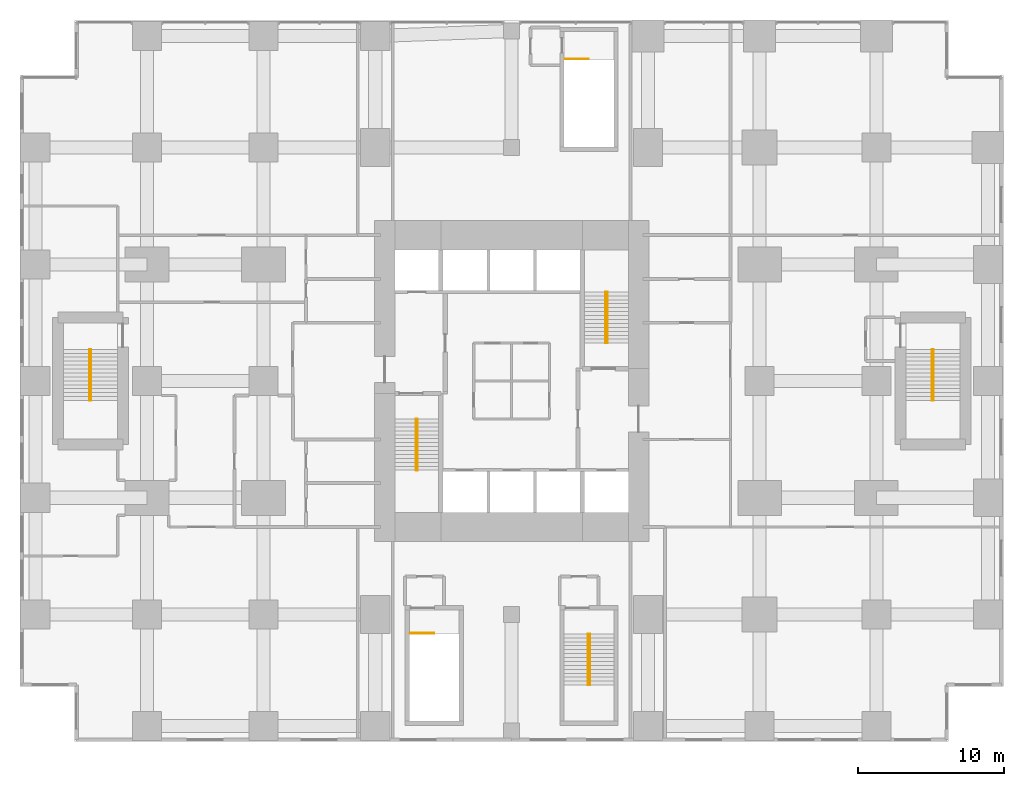
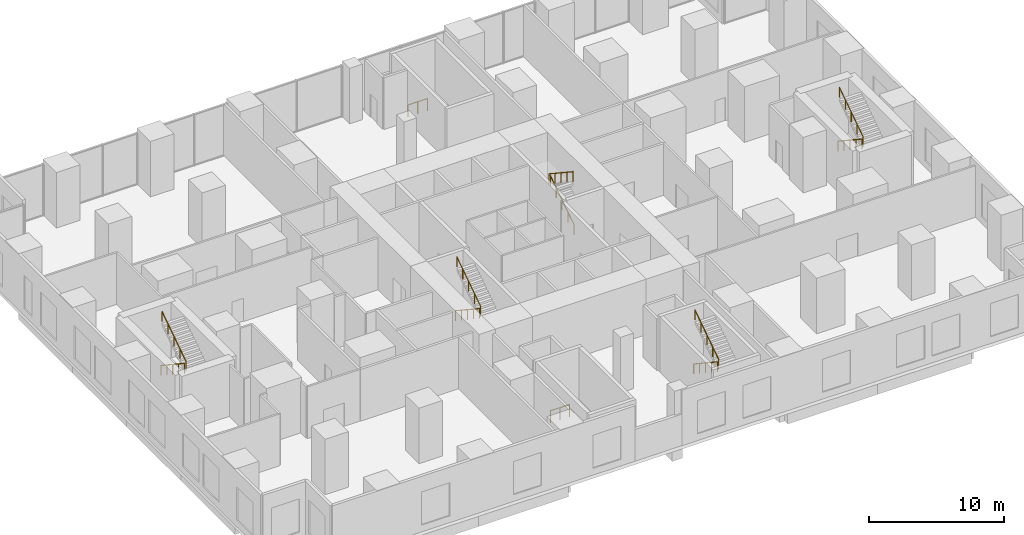
# One storey, part 11 of 11: 12 railings.
"""IFC4 building model written with IfcOpenShell, lengths in metres."""

import ifcopenshell
import ifcopenshell.guid

model = None  # the IFC model being written
_history = None  # IfcOwnerHistory: only IFC2X3 demands one
_inside = {}  # id of a spatial element -> (the spatial element, [elements in it])
_under = {}  # id of a project, library or spatial element -> (it, [spatial elements below it])
_declared = {}  # id of a project -> (the project, [libraries it declares])
_typed = {}  # id of a type object -> (the type object, [elements of that type])
_made_of = {}  # id of a material, layer set ... -> (it, [elements and type objects made of it])


def new_model(schema):
    """Start an empty IFC model of exactly this schema.

    Asked for "IFC4X3", IfcOpenShell would pick the latest addendum, in which some entities
    have other attributes; the version numbers below select the first issue.
    IFC2X3 requires an IfcOwnerHistory on every rooted entity: one is made here for all.
    """
    global model, _history
    if schema == "IFC4X3":
        model = ifcopenshell.file(schema_version=(4, 3, 0, 0))
    else:
        model = ifcopenshell.file(schema=schema)
    _inside.clear()
    _under.clear()
    _declared.clear()
    _typed.clear()
    _made_of.clear()
    _history = None
    if model.schema == "IFC2X3":
        org = make("IfcOrganization", Name="unknown")
        user = make(
            "IfcPersonAndOrganization",
            ThePerson=make("IfcPerson", FamilyName="unknown"),
            TheOrganization=org,
        )
        app = make(
            "IfcApplication",
            ApplicationDeveloper=org,
            Version="unknown",
            ApplicationFullName="unknown",
            ApplicationIdentifier="unknown",
        )
        _history = make(
            "IfcOwnerHistory",
            OwningUser=user,
            OwningApplication=app,
            ChangeAction="ADDED",
            CreationDate=0,
        )
    return model


def make(cls, **values):
    """One entity of the class cls with the attributes given. An attribute that is None is left unset."""
    return model.create_entity(
        cls, **{name: value for name, value in values.items() if value is not None}
    )


def rooted(cls, **values):
    """An entity with a GlobalId (a new one), such as an element, a storey or a relation."""
    return make(cls, GlobalId=ifcopenshell.guid.new(), OwnerHistory=_history, **values)


def si_unit(unit_type, name, prefix=None):
    """IfcSIUnit, for example si_unit("LENGTHUNIT", "METRE", prefix="MILLI")."""
    return make("IfcSIUnit", UnitType=unit_type, Prefix=prefix, Name=name)


def assignment(units):
    """IfcUnitAssignment: the units of a project."""
    return None if units is None else make("IfcUnitAssignment", Units=units)


def point(xyz):
    """IfcCartesianPoint."""
    return None if xyz is None else make("IfcCartesianPoint", Coordinates=xyz)


def direction(xyz):
    """IfcDirection."""
    return None if xyz is None else make("IfcDirection", DirectionRatios=xyz)


def frame(location, z_axis=None, x_axis=None):
    """IfcAxis2Placement3D, a coordinate frame: its origin and axes. An axis left out is left unset."""
    return make(
        "IfcAxis2Placement3D",
        Location=point(location),
        Axis=direction(z_axis),
        RefDirection=direction(x_axis),
    )


def frame_2d(location, x_axis=None):
    """IfcAxis2Placement2D, a coordinate frame in the plane: its origin and x axis."""
    return make(
        "IfcAxis2Placement2D", Location=point(location), RefDirection=direction(x_axis)
    )


def origin():
    """The frame at (0, 0, 0) with its axes left unset."""
    return frame((0.0, 0.0, 0.0))


def origin_2d():
    """The frame at (0, 0) in the plane with its x axis left unset."""
    return frame_2d((0.0, 0.0))


def place(relative_to, where):
    """IfcLocalPlacement: puts the frame where relative to a parent placement (None: the world)."""
    return make(
        "IfcLocalPlacement", PlacementRelTo=relative_to, RelativePlacement=where
    )


def context(
    kind, dimensions, precision=None, world=None, true_north=None, identifier=None
):
    """IfcGeometricRepresentationContext, for example the 3D "Model" context."""
    return make(
        "IfcGeometricRepresentationContext",
        ContextIdentifier=identifier,
        ContextType=kind,
        CoordinateSpaceDimension=dimensions,
        Precision=precision,
        WorldCoordinateSystem=world,
        TrueNorth=true_north,
    )


def subcontext(parent, identifier, kind, view, scale=None):
    """IfcGeometricRepresentationSubContext, for example "Body" below "Model"."""
    return make(
        "IfcGeometricRepresentationSubContext",
        ContextIdentifier=identifier,
        ContextType=kind,
        ParentContext=parent,
        TargetScale=scale,
        TargetView=view,
    )


def project(units=None, contexts=None):
    """IfcProject with its units and contexts."""
    return rooted(
        "IfcProject",
        Name="project",
        RepresentationContexts=contexts,
        UnitsInContext=assignment(units),
    )


def spatial(cls, under=None, at=None, **own):
    """A site, building, storey or space (cls), placed at a placement, below another one or the project."""
    s = rooted(cls, ObjectPlacement=at, **own)
    if under is not None:
        _under.setdefault(under.id(), (under, []))[1].append(s)
    return s


def profile(cls, at=None, kind="AREA", **sizes):
    """A parametric profile (cls). Its sizes go by their IFC names, for example OverallWidth=200.0."""
    return make(cls, ProfileType=kind, Position=at, **sizes)


def circle(**sizes):
    """IfcCircleProfileDef."""
    return profile("IfcCircleProfileDef", **sizes)


def extrude(swept, where, along, depth):
    """IfcExtrudedAreaSolid: the profile swept, set in the frame where, extruded along a direction by depth."""
    return make(
        "IfcExtrudedAreaSolid",
        SweptArea=swept,
        Position=where,
        ExtrudedDirection=direction(along),
        Depth=depth,
    )


def shape(context_of_items, identifier, shape_type, items):
    """IfcShapeRepresentation: the items that make up one representation, for example the "Body"."""
    return make(
        "IfcShapeRepresentation",
        ContextOfItems=context_of_items,
        RepresentationIdentifier=identifier,
        RepresentationType=shape_type,
        Items=items,
    )


def material(Name=None, Category=None):
    """IfcMaterial."""
    return make("IfcMaterial", Name=Name, Category=Category)


def made_of(thing, what):
    """Note that an element or type object is made of a material, layer set ...; save() writes the relation."""
    if what is not None:
        _made_of.setdefault(what.id(), (what, []))[1].append(thing)
    return thing


def type_object(cls, material=None, **own):
    """A type object (cls), such as IfcWallType, which elements share."""
    return made_of(rooted(cls, **own), material)


def element(
    cls,
    number,
    at=None,
    inside=None,
    cuts=None,
    type_object=None,
    material=None,
    context=None,
    identifier="Body",
    shape_type=None,
    held_by="IfcProductDefinitionShape",
    body=None,
    shapes=None,
    **own,
):
    """One element of the class cls, such as IfcWall. Its Tag is "e" and its number.

    at: its placement. inside: the storey or other place that contains it. cuts: it is an
    opening in that element (IfcRelVoidsElement). A single representation is given by context,
    identifier, shape_type and body (its items); several are given by shapes. held_by: the class
    of the entity that holds the representations. save() writes the other relations.
    """
    e = rooted(cls, Tag="e%d" % number, ObjectPlacement=at, **own)
    if body is not None:
        shapes = [shape(context, identifier, shape_type, body)]
    if shapes is not None:
        e.Representation = make(held_by, Representations=shapes)
    if inside is not None:
        _inside.setdefault(inside.id(), (inside, []))[1].append(e)
    if cuts is not None:
        rooted(
            "IfcRelVoidsElement", RelatingBuildingElement=cuts, RelatedOpeningElement=e
        )
    if type_object is not None:
        _typed.setdefault(type_object.id(), (type_object, []))[1].append(e)
    return made_of(e, material)


def aggregate(whole, parts):
    """IfcRelAggregates: a whole, such as a stair, and the parts it consists of."""
    return rooted("IfcRelAggregates", RelatingObject=whole, RelatedObjects=parts)


def save(model, path):
    """Write the relations noted so far, then the file.

    IfcRelAggregates (storeys below a building ...), IfcRelContainedInSpatialStructure (elements
    in a storey), IfcRelDefinesByType, IfcRelAssociatesMaterial and IfcRelDeclares: one each for
    every whole, place, type object, material and project.
    """
    for whole, parts in _under.values():
        aggregate(whole, parts)
    for where, things in _inside.values():
        rooted(
            "IfcRelContainedInSpatialStructure",
            RelatedElements=things,
            RelatingStructure=where,
        )
    for kind, things in _typed.values():
        rooted("IfcRelDefinesByType", RelatedObjects=things, RelatingType=kind)
    for what, things in _made_of.values():
        rooted("IfcRelAssociatesMaterial", RelatedObjects=things, RelatingMaterial=what)
    for by, libraries in _declared.values():
        rooted("IfcRelDeclares", RelatingContext=by, RelatedDefinitions=libraries)
    model.write(path)


model = new_model("IFC4")

# Units and contexts
model_context = context("Model", 3, precision=1e-05, world=origin(), true_north=direction((0.0, 1.0)))
body_context = subcontext(model_context, "Body", "Model", "MODEL_VIEW")
ifc_project = project(units=[si_unit("LENGTHUNIT", "METRE"), si_unit("AREAUNIT", "SQUARE_METRE"), si_unit("VOLUMEUNIT", "CUBIC_METRE"), si_unit("PLANEANGLEUNIT", "RADIAN"), si_unit("MASSUNIT", "GRAM", prefix="KILO")], contexts=[model_context])

# Site, building, storey
site_placement = place(None, origin())
site = spatial("IfcSite", under=ifc_project, at=site_placement, CompositionType="ELEMENT")
building_placement = place(site_placement, origin())
building = spatial("IfcBuilding", under=site, at=building_placement, Name="Cleftline Residences", CompositionType="ELEMENT")
storey_placement = place(building_placement, frame((0.0, 0.0, 21.0)))
storey = spatial("IfcBuildingStorey", under=building, at=storey_placement, Name="L04", CompositionType="ELEMENT", Elevation=21.0)

# Railings
ifc_material_1 = material(Name="Stainless steel", Category="steel")
railing_type_1 = type_object("IfcRailingType", Name="HANDRAIL 900", PredefinedType="HANDRAIL", material=ifc_material_1)
railing_1_placement = place(storey_placement, frame((26.449951171875, 21.39990234375, 0.1787109375)))
element("IfcRailing", 1, at=railing_1_placement, inside=storey, type_object=railing_type_1, Name="Stair handrail", PredefinedType="HANDRAIL", context=body_context, shape_type="SweptSolid", body=[
    extrude(circle(Radius=0.02392578125, at=origin_2d()), frame((0.0, 0.0, 0.8759765625), z_axis=(0.0, -0.834097473627, 0.551617081397), x_axis=(1.0, 0.0, 0.0)), (0.0, 0.0, 1.0), 4.208251953125),
    extrude(circle(Radius=0.02099609375, at=origin_2d()), origin(), (0.0, 0.0, 1.0), 0.851806640625),
    extrude(circle(Radius=0.02099609375, at=origin_2d()), frame((0.0, -0.87744140625, 0.580322265625)), (0.0, 0.0, 1.0), 0.851806640625),
    extrude(circle(Radius=0.02099609375, at=origin_2d()), frame((0.0, -1.7548828125, 1.16064453125)), (0.0, 0.0, 1.0), 0.851806640625),
    extrude(circle(Radius=0.02099609375, at=origin_2d()), frame((0.0, -2.632568359375, 1.740966796875)), (0.0, 0.0, 1.0), 0.851806640625),
    extrude(circle(Radius=0.02099609375, at=origin_2d()), frame((0.0, -3.510009765625, 2.3212890625)), (0.0, 0.0, 1.0), 0.851806640625),
])
for number, where, name in (
    (2, (26.550048828125, 17.889892578125, 2.6787109375), "Stair handrail"),
    (3, (39.550048828125, 26.60009765625, 0.1787109375), "Stair handrail"),
):
    element("IfcRailing", number, at=place(storey_placement, frame(where)), inside=storey, type_object=railing_type_1, Name=name, PredefinedType="HANDRAIL", context=body_context, shape_type="SweptSolid", body=[
        extrude(circle(Radius=0.02392578125, at=origin_2d()), frame((0.0, 0.0, 0.8759765625), z_axis=(0.0, 0.834097473627, 0.551617081397), x_axis=(-1.0, 0.0, 0.0)), (0.0, 0.0, 1.0), 4.208251953125),
        extrude(circle(Radius=0.02099609375, at=origin_2d()), origin(), (0.0, 0.0, 1.0), 0.851806640625),
        extrude(circle(Radius=0.02099609375, at=origin_2d()), frame((0.0, 0.87744140625, 0.580322265625)), (0.0, 0.0, 1.0), 0.851806640625),
        extrude(circle(Radius=0.02099609375, at=origin_2d()), frame((0.0, 1.7548828125, 1.16064453125)), (0.0, 0.0, 1.0), 0.851806640625),
        extrude(circle(Radius=0.02099609375, at=origin_2d()), frame((0.0, 2.632568359375, 1.740966796875)), (0.0, 0.0, 1.0), 0.851806640625),
        extrude(circle(Radius=0.02099609375, at=origin_2d()), frame((0.0, 3.510009765625, 2.3212890625)), (0.0, 0.0, 1.0), 0.851806640625),
    ])
for number, where, name in (
    (4, (39.449951171875, 30.110107421875, 2.6787109375), "Stair handrail"),
    (5, (38.25, 6.669921875, 0.1787109375), "Stair handrail"),
):
    element("IfcRailing", number, at=place(storey_placement, frame(where)), inside=storey, type_object=railing_type_1, Name=name, PredefinedType="HANDRAIL", context=body_context, shape_type="SweptSolid", body=[
        extrude(circle(Radius=0.02392578125, at=origin_2d()), frame((0.0, 0.0, 0.8759765625), z_axis=(0.0, -0.834097473627, 0.551617081397), x_axis=(1.0, 0.0, 0.0)), (0.0, 0.0, 1.0), 4.208251953125),
        extrude(circle(Radius=0.02099609375, at=origin_2d()), origin(), (0.0, 0.0, 1.0), 0.851806640625),
        extrude(circle(Radius=0.02099609375, at=origin_2d()), frame((0.0, -0.87744140625, 0.580322265625)), (0.0, 0.0, 1.0), 0.851806640625),
        extrude(circle(Radius=0.02099609375, at=origin_2d()), frame((0.0, -1.7548828125, 1.16064453125)), (0.0, 0.0, 1.0), 0.851806640625),
        extrude(circle(Radius=0.02099609375, at=origin_2d()), frame((0.0, -2.632568359375, 1.740966796875)), (0.0, 0.0, 1.0), 0.851806640625),
        extrude(circle(Radius=0.02099609375, at=origin_2d()), frame((0.0, -3.510009765625, 2.3212890625)), (0.0, 0.0, 1.0), 0.851806640625),
    ])
railing_2_placement = place(storey_placement, frame((38.35009765625, 3.159912109375, 2.6787109375)))
element("IfcRailing", 6, at=railing_2_placement, inside=storey, type_object=railing_type_1, Name="Stair handrail", PredefinedType="HANDRAIL", context=body_context, shape_type="SweptSolid", body=[
    extrude(circle(Radius=0.02392578125, at=origin_2d()), frame((0.0, 0.0, 0.8759765625), z_axis=(0.0, 0.834097473627, 0.551617081397), x_axis=(-1.0, 0.0, 0.0)), (0.0, 0.0, 1.0), 4.208251953125),
    extrude(circle(Radius=0.02099609375, at=origin_2d()), origin(), (0.0, 0.0, 1.0), 0.851806640625),
    extrude(circle(Radius=0.02099609375, at=origin_2d()), frame((0.0, 0.87744140625, 0.580322265625)), (0.0, 0.0, 1.0), 0.851806640625),
    extrude(circle(Radius=0.02099609375, at=origin_2d()), frame((0.0, 1.7548828125, 1.16064453125)), (0.0, 0.0, 1.0), 0.851806640625),
    extrude(circle(Radius=0.02099609375, at=origin_2d()), frame((0.0, 2.632568359375, 1.740966796875)), (0.0, 0.0, 1.0), 0.851806640625),
    extrude(circle(Radius=0.02099609375, at=origin_2d()), frame((0.0, 3.510009765625, 2.3212890625)), (0.0, 0.0, 1.0), 0.851806640625),
])
railing_3_placement = place(storey_placement, frame((61.824951171875, 26.175048828125, 0.1787109375)))
element("IfcRailing", 7, at=railing_3_placement, inside=storey, type_object=railing_type_1, Name="Stair handrail", PredefinedType="HANDRAIL", context=body_context, shape_type="SweptSolid", body=[
    extrude(circle(Radius=0.02392578125, at=origin_2d()), frame((0.0, 0.0, 0.8759765625), z_axis=(0.0, -0.834097473627, 0.551617081397), x_axis=(1.0, 0.0, 0.0)), (0.0, 0.0, 1.0), 4.208251953125),
    extrude(circle(Radius=0.02099609375, at=origin_2d()), origin(), (0.0, 0.0, 1.0), 0.851806640625),
    extrude(circle(Radius=0.02099609375, at=origin_2d()), frame((0.0, -0.87744140625, 0.580322265625)), (0.0, 0.0, 1.0), 0.851806640625),
    extrude(circle(Radius=0.02099609375, at=origin_2d()), frame((0.0, -1.7548828125, 1.16064453125)), (0.0, 0.0, 1.0), 0.851806640625),
    extrude(circle(Radius=0.02099609375, at=origin_2d()), frame((0.0, -2.632568359375, 1.740966796875)), (0.0, 0.0, 1.0), 0.851806640625),
    extrude(circle(Radius=0.02099609375, at=origin_2d()), frame((0.0, -3.510009765625, 2.3212890625)), (0.0, 0.0, 1.0), 0.851806640625),
])
railing_4_placement = place(storey_placement, frame((61.925048828125, 22.6650390625, 2.6787109375)))
element("IfcRailing", 8, at=railing_4_placement, inside=storey, type_object=railing_type_1, Name="Stair handrail", PredefinedType="HANDRAIL", context=body_context, shape_type="SweptSolid", body=[
    extrude(circle(Radius=0.02392578125, at=origin_2d()), frame((0.0, 0.0, 0.8759765625), z_axis=(0.0, 0.834097473627, 0.551617081397), x_axis=(-1.0, 0.0, 0.0)), (0.0, 0.0, 1.0), 4.208251953125),
    extrude(circle(Radius=0.02099609375, at=origin_2d()), origin(), (0.0, 0.0, 1.0), 0.851806640625),
    extrude(circle(Radius=0.02099609375, at=origin_2d()), frame((0.0, 0.87744140625, 0.580322265625)), (0.0, 0.0, 1.0), 0.851806640625),
    extrude(circle(Radius=0.02099609375, at=origin_2d()), frame((0.0, 1.7548828125, 1.16064453125)), (0.0, 0.0, 1.0), 0.851806640625),
    extrude(circle(Radius=0.02099609375, at=origin_2d()), frame((0.0, 2.632568359375, 1.740966796875)), (0.0, 0.0, 1.0), 0.851806640625),
    extrude(circle(Radius=0.02099609375, at=origin_2d()), frame((0.0, 3.510009765625, 2.3212890625)), (0.0, 0.0, 1.0), 0.851806640625),
])
railing_5_placement = place(storey_placement, frame((4.074951171875, 26.175048828125, 0.1787109375)))
element("IfcRailing", 9, at=railing_5_placement, inside=storey, type_object=railing_type_1, Name="Stair handrail", PredefinedType="HANDRAIL", context=body_context, shape_type="SweptSolid", body=[
    extrude(circle(Radius=0.02392578125, at=origin_2d()), frame((0.0, 0.0, 0.8759765625), z_axis=(0.0, -0.834097473627, 0.551617081397), x_axis=(1.0, 0.0, 0.0)), (0.0, 0.0, 1.0), 4.208251953125),
    extrude(circle(Radius=0.02099609375, at=origin_2d()), origin(), (0.0, 0.0, 1.0), 0.851806640625),
    extrude(circle(Radius=0.02099609375, at=origin_2d()), frame((0.0, -0.87744140625, 0.580322265625)), (0.0, 0.0, 1.0), 0.851806640625),
    extrude(circle(Radius=0.02099609375, at=origin_2d()), frame((0.0, -1.7548828125, 1.16064453125)), (0.0, 0.0, 1.0), 0.851806640625),
    extrude(circle(Radius=0.02099609375, at=origin_2d()), frame((0.0, -2.632568359375, 1.740966796875)), (0.0, 0.0, 1.0), 0.851806640625),
    extrude(circle(Radius=0.02099609375, at=origin_2d()), frame((0.0, -3.510009765625, 2.3212890625)), (0.0, 0.0, 1.0), 0.851806640625),
])
railing_6_placement = place(storey_placement, frame((4.175048828125, 22.6650390625, 2.6787109375)))
element("IfcRailing", 10, at=railing_6_placement, inside=storey, type_object=railing_type_1, Name="Stair handrail", PredefinedType="HANDRAIL", context=body_context, shape_type="SweptSolid", body=[
    extrude(circle(Radius=0.02392578125, at=origin_2d()), frame((0.0, 0.0, 0.8759765625), z_axis=(0.0, 0.834097473627, 0.551617081397), x_axis=(-1.0, 0.0, 0.0)), (0.0, 0.0, 1.0), 4.208251953125),
    extrude(circle(Radius=0.02099609375, at=origin_2d()), origin(), (0.0, 0.0, 1.0), 0.851806640625),
    extrude(circle(Radius=0.02099609375, at=origin_2d()), frame((0.0, 0.87744140625, 0.580322265625)), (0.0, 0.0, 1.0), 0.851806640625),
    extrude(circle(Radius=0.02099609375, at=origin_2d()), frame((0.0, 1.7548828125, 1.16064453125)), (0.0, 0.0, 1.0), 0.851806640625),
    extrude(circle(Radius=0.02099609375, at=origin_2d()), frame((0.0, 2.632568359375, 1.740966796875)), (0.0, 0.0, 1.0), 0.851806640625),
    extrude(circle(Radius=0.02099609375, at=origin_2d()), frame((0.0, 3.510009765625, 2.3212890625)), (0.0, 0.0, 1.0), 0.851806640625),
])
ifc_material_2 = material(Name="Stainless steel", Category="steel")
railing_type_2 = type_object("IfcRailingType", Name="STAIR GUARD 1100", PredefinedType="GUARDRAIL", material=ifc_material_2)
railing_7_placement = place(storey_placement, frame((26.050048828125, 6.719970703125, 0.0)))
element("IfcRailing", 11, at=railing_7_placement, inside=storey, type_object=railing_type_2, Name="Stair well guard", PredefinedType="GUARDRAIL", context=body_context, shape_type="SweptSolid", body=[
    extrude(circle(Radius=0.02392578125, at=origin_2d()), frame((0.0, 0.0, 1.076171875), z_axis=(1.0, 0.0, 0.0), x_axis=(0.0, 1.0, 0.0)), (0.0, 0.0, 1.0), 1.6298828125),
    extrude(circle(Radius=0.02099609375, at=origin_2d()), origin(), (0.0, 0.0, 1.0), 1.052001953125),
    extrude(circle(Radius=0.02099609375, at=origin_2d()), frame((0.81494140625, 0.0, 0.0)), (0.0, 0.0, 1.0), 1.052001953125),
    extrude(circle(Radius=0.02099609375, at=origin_2d()), frame((1.6298828125, 0.0, 0.0)), (0.0, 0.0, 1.0), 1.052001953125),
])
railing_8_placement = place(storey_placement, frame((36.64990234375, 46.070068359375, 0.0)))
element("IfcRailing", 12, at=railing_8_placement, inside=storey, type_object=railing_type_2, Name="Stair well guard", PredefinedType="GUARDRAIL", context=body_context, shape_type="SweptSolid", body=[
    extrude(circle(Radius=0.02392578125, at=origin_2d()), frame((0.0, 0.0, 1.076171875), z_axis=(1.0, 0.0, 0.0), x_axis=(0.0, 1.0, 0.0)), (0.0, 0.0, 1.0), 1.630126953125),
    extrude(circle(Radius=0.02099609375, at=origin_2d()), origin(), (0.0, 0.0, 1.0), 1.052001953125),
    extrude(circle(Radius=0.02099609375, at=origin_2d()), frame((0.81494140625, 0.0, 0.0)), (0.0, 0.0, 1.0), 1.052001953125),
    extrude(circle(Radius=0.02099609375, at=origin_2d()), frame((1.630126953125, 0.0, 0.0)), (0.0, 0.0, 1.0), 1.052001953125),
])

save(model, "model.ifc")
